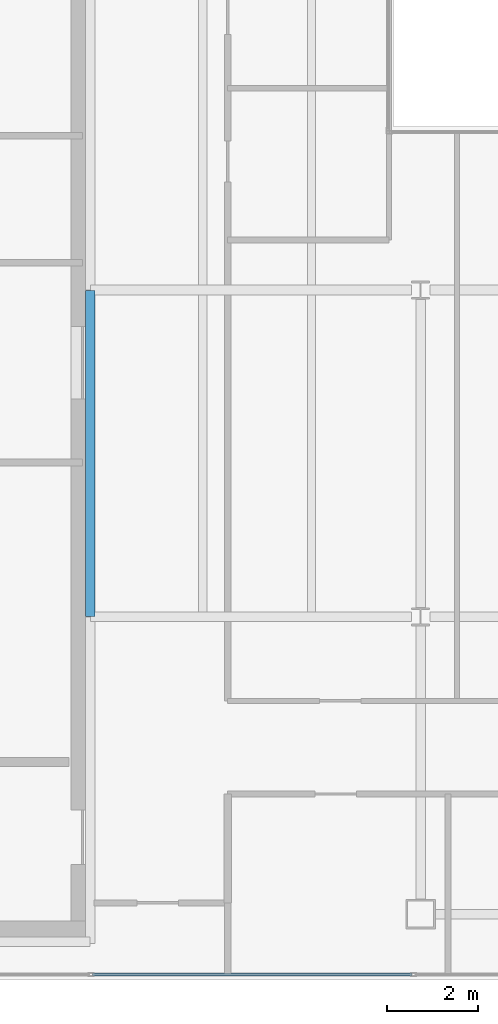
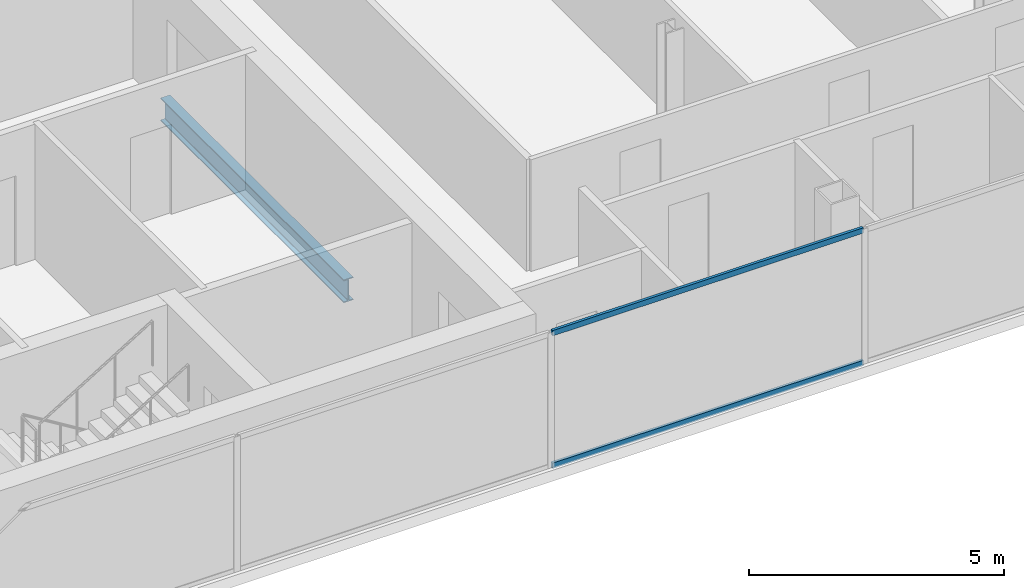
# One storey, part 4 of 23: 2 members, 1 beam, 1 element without a shape of its own.
"""IFC4 building model written with IfcOpenShell, lengths in metres."""

from ifc_helpers import new_model, si_unit, direction, frame, origin, origin_2d, place, context, subcontext, project, spatial, hollow_rectangle, i_section, extrude, material, material_profile, profile_set, type_object, element, aggregate, save


model = new_model("IFC4")

# Units and contexts
model_context = context("Model", 3, precision=1e-05, world=origin(), true_north=direction((0.0, 1.0)))
body_context = subcontext(model_context, "Body", "Model", "MODEL_VIEW")
ifc_project = project(units=[si_unit("LENGTHUNIT", "METRE"), si_unit("AREAUNIT", "SQUARE_METRE"), si_unit("VOLUMEUNIT", "CUBIC_METRE"), si_unit("PLANEANGLEUNIT", "RADIAN"), si_unit("MASSUNIT", "GRAM", prefix="KILO")], contexts=[model_context])

# Site, building, storey
site_placement = place(None, origin())
site = spatial("IfcSite", under=ifc_project, at=site_placement, CompositionType="ELEMENT")
building_placement = place(site_placement, origin())
building = spatial("IfcBuilding", under=site, at=building_placement, Name="Cobrela Telecom Tower", CompositionType="ELEMENT")
storey_placement = place(building_placement, frame((0.0, 0.0, 286.64990234375)))
storey = spatial("IfcBuildingStorey", under=building, at=storey_placement, Name="L75", CompositionType="ELEMENT", Elevation=286.64990234375)

# Beam
ifc_material_1 = material(Name="Steel ASTM A992 Grade 50", Category="steel")
ifc_material_profile_1 = material_profile(ifc_material_1, i_section(OverallWidth=0.212890625, OverallDepth=0.549072265625, WebThickness=0.0146484375, FlangeThickness=0.023681640625, FilletRadius=0.013916015625, at=origin_2d()), Name="W21X93")
ifc_profile_set_1 = profile_set([ifc_material_profile_1], Name="Steel ASTM A992 Grade 50")
beam_type = type_object("IfcBeamType", Name="BM-GIRD-08", PredefinedType="USERDEFINED", material=ifc_profile_set_1)
beam_placement = place(storey_placement, frame((14.320068359375, 14.405029296875, -0.534423828125), z_axis=(0.0, 1.0, 0.0), x_axis=(-1.0, 0.0, 0.0)))
element("IfcBeam", 1, at=beam_placement, inside=storey, type_object=beam_type, Name="L75 Primary Girder Y22", ObjectType="GIRDER", PredefinedType="USERDEFINED", context=body_context, shape_type="SweptSolid", body=[
    extrude(i_section(OverallWidth=0.212890625, OverallDepth=0.549072265625, WebThickness=0.0146484375, FlangeThickness=0.023681640625, FilletRadius=0.013916015625, at=origin_2d()), origin(), (0.0, 0.0, 1.0), 7.18994140625),
])

# Curtain wall, members
ifc_material_2 = material(Name="Anodized Bronze Aluminium 6063-T6", Category="aluminium")
curtain_wall_type = type_object("IfcCurtainWallType", Name="CW-SYS-OFF-HI", PredefinedType="USERDEFINED", material=ifc_material_2)
curtain_wall_placement = place(storey_placement, origin())
curtain_wall = element("IfcCurtainWall", 2, at=curtain_wall_placement, inside=storey, type_object=curtain_wall_type, Name="L75 Unitised Bronze Curtain Wall 15", ObjectType="UNITISED CURTAIN WALL", PredefinedType="USERDEFINED")
ifc_material_profile_2 = material_profile(ifc_material_2, hollow_rectangle(XDim=0.06494140625, YDim=0.1298828125, WallThickness=0.00390625, at=origin_2d()), Name="ALU 65x130x4")
ifc_profile_set_2 = profile_set([ifc_material_profile_2], Name="Anodized Bronze Aluminium 6063-T6")
member_type = type_object("IfcMemberType", Name="CW-SYS-OFF-HI-TRN", PredefinedType="USERDEFINED", material=ifc_profile_set_2)
member_1_placement = place(storey_placement, frame((21.409912109375, 6.52001953125, 0.03271484375), z_axis=(-1.0, 0.0, 0.0), x_axis=(0.0, -1.0, 0.0)))
member_1 = element("IfcMember", 3, at=member_1_placement, type_object=member_type, Name="CW-OFF-HI transom 4.1", ObjectType="TRANSOM", PredefinedType="USERDEFINED", context=body_context, shape_type="SweptSolid", body=[
    extrude(hollow_rectangle(XDim=0.06494140625, YDim=0.1298828125, WallThickness=0.00390625, at=origin_2d()), origin(), (0.0, 0.0, 1.0), 7.038330078125),
])
member_2_placement = place(storey_placement, frame((21.409912109375, 6.52001953125, 3.20751953125), z_axis=(-1.0, 0.0, 0.0), x_axis=(0.0, -1.0, 0.0)))
member_2 = element("IfcMember", 4, at=member_2_placement, type_object=member_type, Name="CW-OFF-HI transom 4.2", ObjectType="TRANSOM", PredefinedType="USERDEFINED", context=body_context, shape_type="SweptSolid", body=[
    extrude(hollow_rectangle(XDim=0.06494140625, YDim=0.1298828125, WallThickness=0.00390625, at=origin_2d()), origin(), (0.0, 0.0, 1.0), 7.038330078125),
])
aggregate(curtain_wall, [member_1, member_2])

save(model, "model.ifc")
